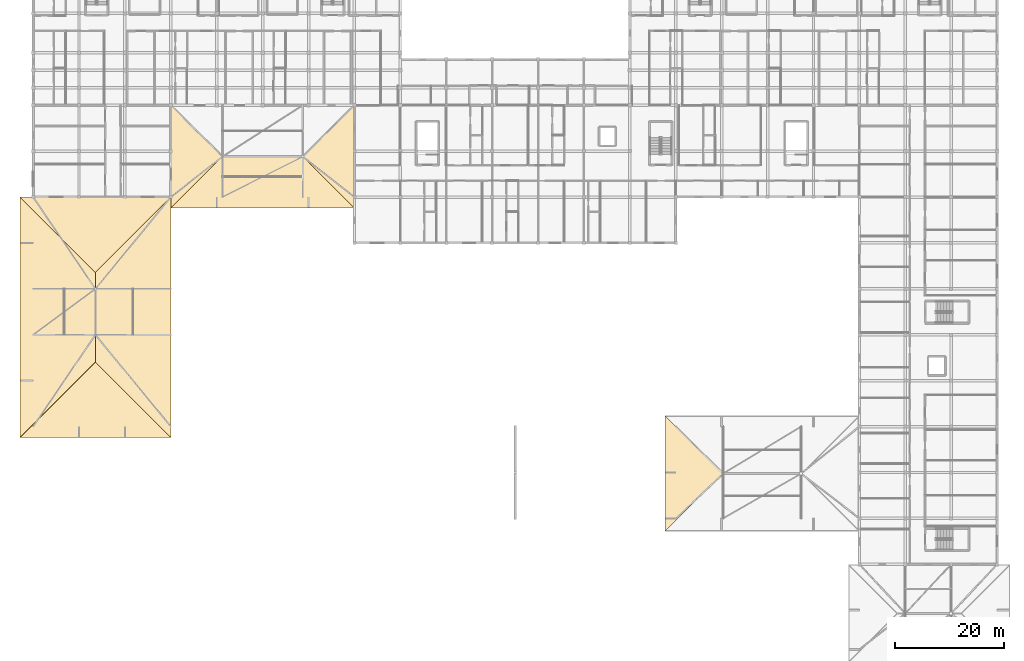
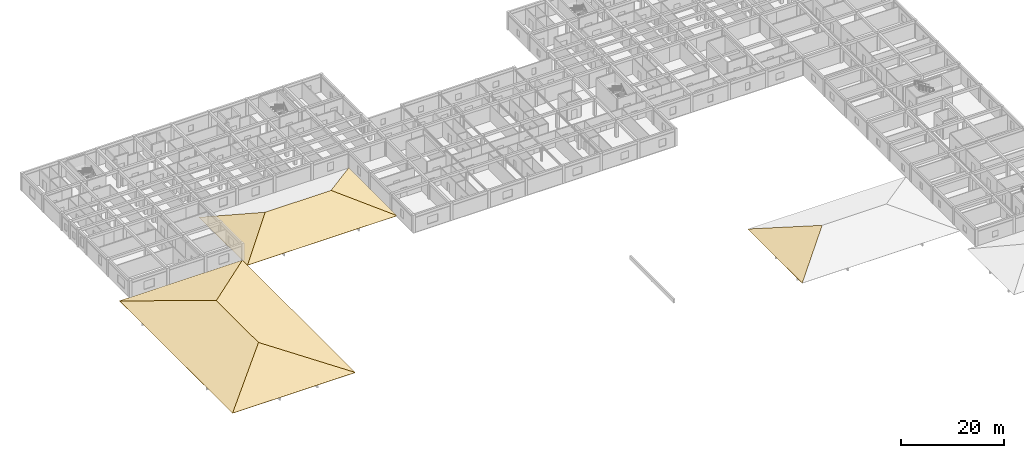
# One storey, part 32 of 42: 8 coverings, 3 elements without a shape of their own.
"""IFC4 building model written with IfcOpenShell, lengths in metres."""

from ifc_helpers import new_model, si_unit, direction, frame, origin, place, context, subcontext, project, spatial, polyline, outline, extrude, material, layer, layer_set, type_object, element, aggregate, save


model = new_model("IFC4")

# Units and contexts
model_context = context("Model", 3, precision=1e-05, world=origin(), true_north=direction((0.0, 1.0)))
body_context = subcontext(model_context, "Body", "Model", "MODEL_VIEW")
ifc_project = project(units=[si_unit("LENGTHUNIT", "METRE"), si_unit("AREAUNIT", "SQUARE_METRE"), si_unit("VOLUMEUNIT", "CUBIC_METRE"), si_unit("PLANEANGLEUNIT", "RADIAN"), si_unit("MASSUNIT", "GRAM", prefix="KILO")], contexts=[model_context])

# Site, building, storey
site_placement = place(None, origin())
site = spatial("IfcSite", under=ifc_project, at=site_placement, CompositionType="ELEMENT")
building_placement = place(site_placement, origin())
building = spatial("IfcBuilding", under=site, at=building_placement, Name="Varncliffe General Hospital", CompositionType="ELEMENT")
storey_placement = place(building_placement, frame((0.0, 0.0, 20.39990234375)))
storey = spatial("IfcBuildingStorey", under=building, at=storey_placement, Name="L04", CompositionType="ELEMENT", Elevation=20.39990234375)

# Roof, coverings
ifc_material = material(Name="Terracotta clay roof tile over waterproof membrane", Category="masonry")
roof_type = type_object("IfcRoofType", Name="Hipped Clay-Tile Roof Assembly HR20", PredefinedType="HIP_ROOF", material=ifc_material)
roof_1_placement = place(storey_placement, origin())
roof_1 = element("IfcRoof", 1, at=roof_1_placement, inside=storey, type_object=roof_type, Name="L04 Hipped Roof RF-V3-W", PredefinedType="HIP_ROOF")
ifc_layer = layer(ifc_material, 0.044921875)
ifc_layer_set = layer_set([ifc_layer], Name="Terracotta clay roof tile over waterproof membrane")
covering_type = type_object("IfcCoveringType", Name="Terracotta Clay Tile Roofing RFG24", PredefinedType="ROOFING", material=ifc_layer_set)
covering_1_placement = place(storey_placement, frame((-2.39990234375, 82.800048828125, 0.045166015625), z_axis=(-0.252415625325, 0.0, 0.967618908503), x_axis=(0.0, -1.0, 0.0)))
covering_1 = element("IfcCovering", 2, at=covering_1_placement, type_object=covering_type, Name="L04 RF-V3-W Terracotta Clay Tile Slope W", PredefinedType="ROOFING", context=body_context, shape_type="SweptSolid", body=[
    extrude(outline(polyline([(0.0, 0.0), (44.0, 0.0), (30.199951171875, 14.261611225492883), (13.800048828125, 14.261611225492883), (0.0, 0.0)])), origin(), (0.0, 0.0, -1.0), 0.044921875),
])
covering_2_placement = place(storey_placement, frame((25.199951171875, 38.800048828125, 0.045166015625), z_axis=(0.252411444278, 0.0, 0.967619999172), x_axis=(0.0, 1.0, 0.0)))
covering_2 = element("IfcCovering", 3, at=covering_2_placement, type_object=covering_type, Name="L04 RF-V3-W Terracotta Clay Tile Slope E", PredefinedType="ROOFING", context=body_context, shape_type="SweptSolid", body=[
    extrude(outline(polyline([(0.0, 0.0), (44.0, 0.0), (30.199951171875, 14.261847460711106), (13.800048828125, 14.261847460711106), (0.0, 0.0)])), origin(), (0.0, 0.0, -1.0), 0.044921875),
])
covering_3_placement = place(storey_placement, frame((-2.39990234375, 38.800048828125, 0.045166015625), z_axis=(0.0, -0.252411444278, 0.967619999172), x_axis=(1.0, 0.0, 0.0)))
covering_3 = element("IfcCovering", 4, at=covering_3_placement, type_object=covering_type, Name="L04 RF-V3-W Terracotta Clay Tile Slope S", PredefinedType="ROOFING", context=body_context, shape_type="SweptSolid", body=[
    extrude(outline(polyline([(0.0, 0.0), (27.599853515625, 0.0), (13.7998046875, 14.261847460711106), (0.0, 0.0)])), origin(), (0.0, 0.0, -1.0), 0.044921875),
])
covering_4_placement = place(storey_placement, frame((25.199951171875, 82.800048828125, 0.045166015625), z_axis=(0.0, 0.252411444278, 0.967619999172), x_axis=(-1.0, 0.0, 0.0)))
covering_4 = element("IfcCovering", 5, at=covering_4_placement, type_object=covering_type, Name="L04 RF-V3-W Terracotta Clay Tile Slope N", PredefinedType="ROOFING", context=body_context, shape_type="SweptSolid", body=[
    extrude(outline(polyline([(0.0, 0.0), (27.599853515625, 0.0), (13.800048828125, 14.261847460711106), (0.0, 0.0)])), origin(), (0.0, 0.0, -1.0), 0.044921875),
])
aggregate(roof_1, [covering_1, covering_2, covering_3, covering_4])

roof_2_placement = place(storey_placement, origin())
roof_2 = element("IfcRoof", 6, at=roof_2_placement, inside=storey, type_object=roof_type, Name="L04 Hipped Roof RF-V3-N", PredefinedType="HIP_ROOF")
covering_5_placement = place(storey_placement, frame((25.199951171875, 80.800048828125, 0.045166015625), z_axis=(0.0, -0.357637815527, 0.933860371204), x_axis=(1.0, 0.0, 0.0)))
covering_5 = element("IfcCovering", 7, at=covering_5_placement, type_object=covering_type, Name="L04 RF-V3-N Terracotta Clay Tile Slope S", PredefinedType="ROOFING", context=body_context, shape_type="SweptSolid", body=[
    extrude(outline(polyline([(0.0, 0.0), (33.60009765625, 0.0), (24.199951171875, 10.06564003956005), (9.400146484375, 10.06564003956005), (0.0, 0.0)])), origin(), (0.0, 0.0, -1.0), 0.044921875),
])
covering_6_placement = place(storey_placement, frame((25.199951171875, 99.60009765625, 0.045166015625), z_axis=(-0.357629714969, 0.0, 0.933863473411), x_axis=(0.0, -1.0, 0.0)))
covering_6 = element("IfcCovering", 8, at=covering_6_placement, type_object=covering_type, Name="L04 RF-V3-N Terracotta Clay Tile Slope W", PredefinedType="ROOFING", context=body_context, shape_type="SweptSolid", body=[
    extrude(outline(polyline([(0.0, 0.0), (18.800048828125, 0.0), (9.400146484375, 10.065868033193428), (0.0, 0.0)])), origin(), (0.0, 0.0, -1.0), 0.044921875),
])
covering_7_placement = place(storey_placement, frame((58.800048828125, 80.800048828125, 0.045166015625), z_axis=(0.357629714969, 0.0, 0.933863473411), x_axis=(0.0, 1.0, 0.0)))
covering_7 = element("IfcCovering", 9, at=covering_7_placement, type_object=covering_type, Name="L04 RF-V3-N Terracotta Clay Tile Slope E", PredefinedType="ROOFING", context=body_context, shape_type="SweptSolid", body=[
    extrude(outline(polyline([(0.0, 0.0), (18.800048828125, 0.0), (9.39990234375, 10.065868033193428), (0.0, 0.0)])), origin(), (0.0, 0.0, -1.0), 0.044921875),
])
aggregate(roof_2, [covering_5, covering_6, covering_7])

# Roof, covering
roof_3_placement = place(storey_placement, origin())
roof_3 = element("IfcRoof", 10, at=roof_3_placement, inside=storey, type_object=roof_type, Name="L04 Hipped Roof RF-V5-S", PredefinedType="HIP_ROOF")
covering_8_placement = place(storey_placement, frame((115.60009765625, 42.800048828125, 0.045166015625), z_axis=(-0.321574678664, 0.0, 0.946884219977), x_axis=(0.0, -1.0, 0.0)))
covering_8 = element("IfcCovering", 11, at=covering_8_placement, type_object=covering_type, Name="L04 RF-V5-S Terracotta Clay Tile Slope W", PredefinedType="ROOFING", context=body_context, shape_type="SweptSolid", body=[
    extrude(outline(polyline([(0.0, 0.0), (21.199951171875, 0.0), (10.60009765625, 11.194455765541502), (0.0, 0.0)])), origin(), (0.0, 0.0, -1.0), 0.044921875),
])
aggregate(roof_3, [covering_8])

save(model, "model.ifc")
